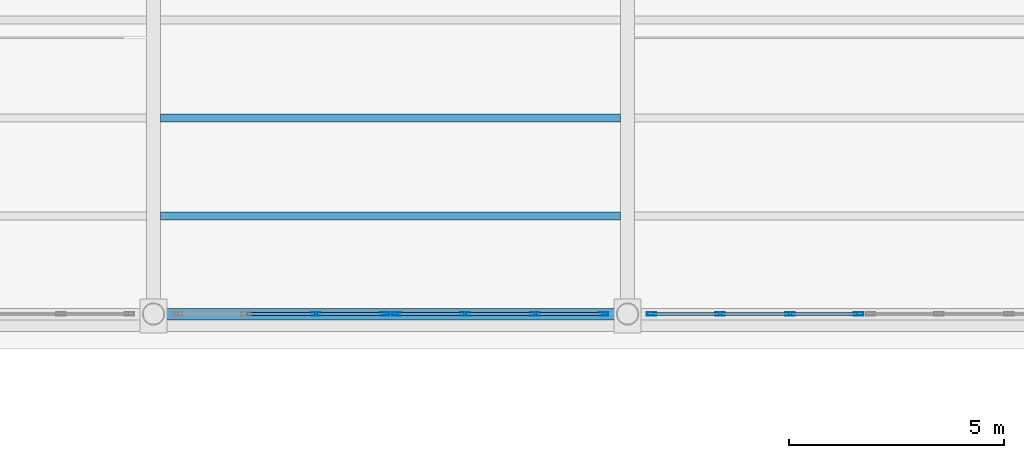
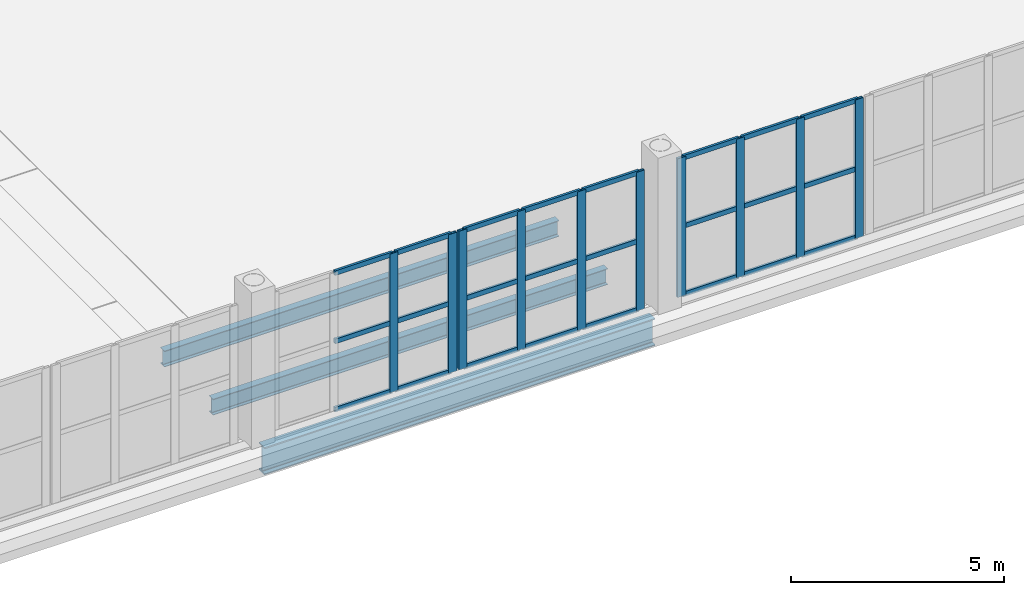
# One storey, part 27 of 156: 34 members, 3 beams, 3 elements without a shape of their own.
"""IFC4 building model written with IfcOpenShell, lengths in metres."""

from ifc_helpers import new_model, si_unit, direction, frame, origin, origin_2d, place, context, subcontext, project, spatial, hollow_rectangle, i_section, extrude, material, material_profile, profile_set, type_object, element, aggregate, save


model = new_model("IFC4")

# Units and contexts
model_context = context("Model", 3, precision=1e-05, world=origin(), true_north=direction((0.0, 1.0)))
body_context = subcontext(model_context, "Body", "Model", "MODEL_VIEW")
ifc_project = project(units=[si_unit("LENGTHUNIT", "METRE"), si_unit("AREAUNIT", "SQUARE_METRE"), si_unit("VOLUMEUNIT", "CUBIC_METRE"), si_unit("PLANEANGLEUNIT", "RADIAN"), si_unit("MASSUNIT", "GRAM", prefix="KILO")], contexts=[model_context])

# Site, building, storey
site_placement = place(None, origin())
site = spatial("IfcSite", under=ifc_project, at=site_placement, CompositionType="ELEMENT")
building_placement = place(site_placement, origin())
building = spatial("IfcBuilding", under=site, at=building_placement, Name="Caurita Quay Ferry Terminal", CompositionType="ELEMENT")
storey_placement = place(building_placement, frame((0.0, 0.0, 5.39990234375)))
storey = spatial("IfcBuildingStorey", under=building, at=storey_placement, Name="L01", CompositionType="ELEMENT", Elevation=5.39990234375)

# Beams
ifc_material_1 = material(Name="Structural steel ASTM A992 Gr. 50", Category="steel")
ifc_material_profile_1 = material_profile(ifc_material_1, i_section(OverallWidth=0.2666015625, OverallDepth=0.77978515625, WebThickness=0.0166015625, FlangeThickness=0.030029296875, FilletRadius=0.01904296875, at=origin_2d()), Name="W30X148")
ifc_profile_set_1 = profile_set([ifc_material_profile_1], Name="Structural steel ASTM A992 Gr. 50")
beam_type_1 = type_object("IfcBeamType", Name="BM-GR-W30A", PredefinedType="BEAM", material=ifc_profile_set_1)
beam_placement = place(storey_placement, frame((44.2158203125, 34.60009765625, -0.689697265625), z_axis=(1.0, 0.0, 0.0), x_axis=(0.0, 1.0, 0.0)))
element("IfcBeam", 1, at=beam_placement, inside=storey, type_object=beam_type_1, Name="L01 Beam BM-V1-L01-X-442-346", PredefinedType="BEAM", context=body_context, shape_type="SweptSolid", body=[
    extrude(i_section(OverallWidth=0.2666015625, OverallDepth=0.77978515625, WebThickness=0.0166015625, FlangeThickness=0.030029296875, FilletRadius=0.01904296875, at=origin_2d()), origin(), (0.0, 0.0, 1.0), 10.568359375),
])
ifc_material_profile_2 = material_profile(ifc_material_1, i_section(OverallWidth=0.1904296875, OverallDepth=0.457275390625, WebThickness=0.009033203125, FlangeThickness=0.014404296875, FilletRadius=0.0126953125, at=origin_2d()), Name="W18X50")
ifc_profile_set_2 = profile_set([ifc_material_profile_2], Name="Structural steel ASTM A992 Gr. 50")
beam_type_2 = type_object("IfcBeamType", Name="BM-JS-W18B", PredefinedType="JOIST", material=ifc_profile_set_2)
for number, where, z_axis, x_axis, name in (
    (2, (44.16259765625, 36.875, -0.528564453125), (1.0, 0.0, 0.0), (0.0, 1.0, 0.0), "L01 Beam JS-V1-L01-040"),
    (3, (44.16259765625, 39.14990234375, -0.528564453125), (1.0, 0.0, 0.0), (0.0, 1.0, 0.0), "L01 Beam JS-V1-L01-041"),
):
    element("IfcBeam", number, at=place(storey_placement, frame(where, z_axis=z_axis, x_axis=x_axis)), inside=storey, type_object=beam_type_2, Name=name, PredefinedType="JOIST", context=body_context, shape_type="SweptSolid", body=[
        extrude(i_section(OverallWidth=0.1904296875, OverallDepth=0.457275390625, WebThickness=0.009033203125, FlangeThickness=0.014404296875, FilletRadius=0.0126953125, at=origin_2d()), origin(), (0.0, 0.0, 1.0), 10.6748046875),
    ])

# Curtain wall, members
ifc_material_2 = material(Name="Laminated solar-control insulated glass", Category="glass")
curtain_wall_type = type_object("IfcCurtainWallType", Name="CW-SYS-08", PredefinedType="NOTDEFINED", material=ifc_material_2)
curtain_wall_1_placement = place(storey_placement, origin())
curtain_wall_1 = element("IfcCurtainWall", 4, at=curtain_wall_1_placement, inside=storey, type_object=curtain_wall_type, Name="V1 Waterside Concourse Curtain Wall 057", PredefinedType="NOTDEFINED")
ifc_material_3 = material(Name="Anodized aluminium 6063-T6", Category="aluminium")
ifc_material_profile_3 = material_profile(ifc_material_3, hollow_rectangle(XDim=0.074951171875, YDim=0.219970703125, WallThickness=0.00390625, at=origin_2d()), Name="ALU-MUL-75X220")
ifc_profile_set_3 = profile_set([ifc_material_profile_3], Name="Anodized aluminium 6063-T6")
member_type_1 = type_object("IfcMemberType", Name="CW-MUL-220", PredefinedType="MULLION", material=ifc_profile_set_3)
member_1_placement = place(storey_placement, frame((47.773193359375, 34.60009765625, 0.0), z_axis=(0.0, 0.0, 1.0), x_axis=(0.0, 1.0, 0.0)))
member_1 = element("IfcMember", 5, at=member_1_placement, type_object=member_type_1, Name="CW-SEA-057 Mullion 3", PredefinedType="MULLION", context=body_context, shape_type="SweptSolid", body=[
    extrude(hollow_rectangle(XDim=0.074951171875, YDim=0.219970703125, WallThickness=0.00390625, at=origin_2d()), origin(), (0.0, 0.0, 1.0), 3.97021484375),
])
member_2_placement = place(storey_placement, frame((49.362548828125, 34.60009765625, 0.0), z_axis=(0.0, 0.0, 1.0), x_axis=(0.0, 1.0, 0.0)))
member_2 = element("IfcMember", 6, at=member_2_placement, type_object=member_type_1, Name="CW-SEA-057 Mullion 4", PredefinedType="MULLION", context=body_context, shape_type="SweptSolid", body=[
    extrude(hollow_rectangle(XDim=0.074951171875, YDim=0.219970703125, WallThickness=0.00390625, at=origin_2d()), origin(), (0.0, 0.0, 1.0), 3.97021484375),
])

curtain_wall_2_placement = place(storey_placement, origin())
curtain_wall_2 = element("IfcCurtainWall", 7, at=curtain_wall_2_placement, inside=storey, type_object=curtain_wall_type, Name="V1 Waterside Concourse Curtain Wall 058", PredefinedType="NOTDEFINED")
member_3_placement = place(storey_placement, frame((49.637451171875, 34.60009765625, 0.0), z_axis=(0.0, 0.0, 1.0), x_axis=(0.0, 1.0, 0.0)))
member_3 = element("IfcMember", 8, at=member_3_placement, type_object=member_type_1, Name="CW-SEA-058 Mullion 1", PredefinedType="MULLION", context=body_context, shape_type="SweptSolid", body=[
    extrude(hollow_rectangle(XDim=0.074951171875, YDim=0.219970703125, WallThickness=0.00390625, at=origin_2d()), origin(), (0.0, 0.0, 1.0), 3.97021484375),
])
member_4_placement = place(storey_placement, frame((51.226806640625, 34.60009765625, 0.0), z_axis=(0.0, 0.0, 1.0), x_axis=(0.0, 1.0, 0.0)))
member_4 = element("IfcMember", 9, at=member_4_placement, type_object=member_type_1, Name="CW-SEA-058 Mullion 2", PredefinedType="MULLION", context=body_context, shape_type="SweptSolid", body=[
    extrude(hollow_rectangle(XDim=0.074951171875, YDim=0.219970703125, WallThickness=0.00390625, at=origin_2d()), origin(), (0.0, 0.0, 1.0), 3.97021484375),
])
member_5_placement = place(storey_placement, frame((52.853271484375, 34.60009765625, 0.0), z_axis=(0.0, 0.0, 1.0), x_axis=(0.0, 1.0, 0.0)))
member_5 = element("IfcMember", 10, at=member_5_placement, type_object=member_type_1, Name="CW-SEA-058 Mullion 3", PredefinedType="MULLION", context=body_context, shape_type="SweptSolid", body=[
    extrude(hollow_rectangle(XDim=0.074951171875, YDim=0.219970703125, WallThickness=0.00390625, at=origin_2d()), origin(), (0.0, 0.0, 1.0), 3.97021484375),
])
member_6_placement = place(storey_placement, frame((54.4423828125, 34.60009765625, 0.0), z_axis=(0.0, 0.0, 1.0), x_axis=(0.0, 1.0, 0.0)))
member_6 = element("IfcMember", 11, at=member_6_placement, type_object=member_type_1, Name="CW-SEA-058 Mullion 4", PredefinedType="MULLION", context=body_context, shape_type="SweptSolid", body=[
    extrude(hollow_rectangle(XDim=0.074951171875, YDim=0.219970703125, WallThickness=0.00390625, at=origin_2d()), origin(), (0.0, 0.0, 1.0), 3.97021484375),
])

curtain_wall_3_placement = place(storey_placement, origin())
curtain_wall_3 = element("IfcCurtainWall", 12, at=curtain_wall_3_placement, inside=storey, type_object=curtain_wall_type, Name="V1 Waterside Concourse Curtain Wall 059", PredefinedType="NOTDEFINED")
member_7_placement = place(storey_placement, frame((55.5576171875, 34.60009765625, 0.0), z_axis=(0.0, 0.0, 1.0), x_axis=(0.0, 1.0, 0.0)))
member_7 = element("IfcMember", 13, at=member_7_placement, type_object=member_type_1, Name="CW-SEA-059 Mullion 1", PredefinedType="MULLION", context=body_context, shape_type="SweptSolid", body=[
    extrude(hollow_rectangle(XDim=0.074951171875, YDim=0.219970703125, WallThickness=0.00390625, at=origin_2d()), origin(), (0.0, 0.0, 1.0), 3.97021484375),
])
member_8_placement = place(storey_placement, frame((57.146728515625, 34.60009765625, 0.0), z_axis=(0.0, 0.0, 1.0), x_axis=(0.0, 1.0, 0.0)))
member_8 = element("IfcMember", 14, at=member_8_placement, type_object=member_type_1, Name="CW-SEA-059 Mullion 2", PredefinedType="MULLION", context=body_context, shape_type="SweptSolid", body=[
    extrude(hollow_rectangle(XDim=0.074951171875, YDim=0.219970703125, WallThickness=0.00390625, at=origin_2d()), origin(), (0.0, 0.0, 1.0), 3.97021484375),
])
member_9_placement = place(storey_placement, frame((58.773193359375, 34.60009765625, 0.0), z_axis=(0.0, 0.0, 1.0), x_axis=(0.0, 1.0, 0.0)))
member_9 = element("IfcMember", 15, at=member_9_placement, type_object=member_type_1, Name="CW-SEA-059 Mullion 3", PredefinedType="MULLION", context=body_context, shape_type="SweptSolid", body=[
    extrude(hollow_rectangle(XDim=0.074951171875, YDim=0.219970703125, WallThickness=0.00390625, at=origin_2d()), origin(), (0.0, 0.0, 1.0), 3.97021484375),
])
member_10_placement = place(storey_placement, frame((60.362548828125, 34.60009765625, 0.0), z_axis=(0.0, 0.0, 1.0), x_axis=(0.0, 1.0, 0.0)))
member_10 = element("IfcMember", 16, at=member_10_placement, type_object=member_type_1, Name="CW-SEA-059 Mullion 4", PredefinedType="MULLION", context=body_context, shape_type="SweptSolid", body=[
    extrude(hollow_rectangle(XDim=0.074951171875, YDim=0.219970703125, WallThickness=0.00390625, at=origin_2d()), origin(), (0.0, 0.0, 1.0), 3.97021484375),
])

# Member
ifc_material_profile_4 = material_profile(ifc_material_3, hollow_rectangle(XDim=0.06494140625, YDim=0.135009765625, WallThickness=0.00341796875, at=origin_2d()), Name="ALU-TRN-65X135")
ifc_profile_set_4 = profile_set([ifc_material_profile_4], Name="Anodized aluminium 6063-T6")
member_type_2 = type_object("IfcMemberType", Name="CW-TRN-135", PredefinedType="USERDEFINED", material=ifc_profile_set_4)
member_11_placement = place(storey_placement, frame((46.18212890625, 34.60009765625, 0.03271484375), z_axis=(1.0, 0.0, 0.0), x_axis=(0.0, 1.0, 0.0)))
member_11 = element("IfcMember", 17, at=member_11_placement, type_object=member_type_2, Name="CW-SEA-057 Transom 4", ObjectType="TRANSOM", PredefinedType="USERDEFINED", context=body_context, shape_type="SweptSolid", body=[
    extrude(hollow_rectangle(XDim=0.06494140625, YDim=0.135009765625, WallThickness=0.00341796875, at=origin_2d()), origin(), (0.0, 0.0, 1.0), 1.5556640625),
])

member_12_placement = place(storey_placement, frame((46.18212890625, 34.60009765625, 1.985107421875), z_axis=(1.0, 0.0, 0.0), x_axis=(0.0, 1.0, 0.0)))
member_12 = element("IfcMember", 18, at=member_12_placement, type_object=member_type_2, Name="CW-SEA-057 Transom 5", ObjectType="TRANSOM", PredefinedType="USERDEFINED", context=body_context, shape_type="SweptSolid", body=[
    extrude(hollow_rectangle(XDim=0.06494140625, YDim=0.135009765625, WallThickness=0.00341796875, at=origin_2d()), origin(), (0.0, 0.0, 1.0), 1.5556640625),
])

member_13_placement = place(storey_placement, frame((46.18212890625, 34.60009765625, 3.9375), z_axis=(1.0, 0.0, 0.0), x_axis=(0.0, 1.0, 0.0)))
member_13 = element("IfcMember", 19, at=member_13_placement, type_object=member_type_2, Name="CW-SEA-057 Transom 6", ObjectType="TRANSOM", PredefinedType="USERDEFINED", context=body_context, shape_type="SweptSolid", body=[
    extrude(hollow_rectangle(XDim=0.06494140625, YDim=0.135009765625, WallThickness=0.00341796875, at=origin_2d()), origin(), (0.0, 0.0, 1.0), 1.5556640625),
])

member_14_placement = place(storey_placement, frame((47.808837890625, 34.60009765625, 0.03271484375), z_axis=(1.0, 0.0, 0.0), x_axis=(0.0, 1.0, 0.0)))
member_14 = element("IfcMember", 20, at=member_14_placement, type_object=member_type_2, Name="CW-SEA-057 Transom 7", ObjectType="TRANSOM", PredefinedType="USERDEFINED", context=body_context, shape_type="SweptSolid", body=[
    extrude(hollow_rectangle(XDim=0.06494140625, YDim=0.135009765625, WallThickness=0.00341796875, at=origin_2d()), origin(), (0.0, 0.0, 1.0), 1.51806640625),
])

member_15_placement = place(storey_placement, frame((47.808837890625, 34.60009765625, 1.985107421875), z_axis=(1.0, 0.0, 0.0), x_axis=(0.0, 1.0, 0.0)))
member_15 = element("IfcMember", 21, at=member_15_placement, type_object=member_type_2, Name="CW-SEA-057 Transom 8", ObjectType="TRANSOM", PredefinedType="USERDEFINED", context=body_context, shape_type="SweptSolid", body=[
    extrude(hollow_rectangle(XDim=0.06494140625, YDim=0.135009765625, WallThickness=0.00341796875, at=origin_2d()), origin(), (0.0, 0.0, 1.0), 1.51806640625),
])

member_16_placement = place(storey_placement, frame((47.808837890625, 34.60009765625, 3.9375), z_axis=(1.0, 0.0, 0.0), x_axis=(0.0, 1.0, 0.0)))
member_16 = element("IfcMember", 22, at=member_16_placement, type_object=member_type_2, Name="CW-SEA-057 Transom 9", ObjectType="TRANSOM", PredefinedType="USERDEFINED", context=body_context, shape_type="SweptSolid", body=[
    extrude(hollow_rectangle(XDim=0.06494140625, YDim=0.135009765625, WallThickness=0.00341796875, at=origin_2d()), origin(), (0.0, 0.0, 1.0), 1.51806640625),
])

aggregate(curtain_wall_1, [member_1, member_2, member_11, member_12, member_13, member_14, member_15, member_16])

member_17_placement = place(storey_placement, frame((49.673095703125, 34.60009765625, 0.03271484375), z_axis=(1.0, 0.0, 0.0), x_axis=(0.0, 1.0, 0.0)))
member_17 = element("IfcMember", 23, at=member_17_placement, type_object=member_type_2, Name="CW-SEA-058 Transom 1", ObjectType="TRANSOM", PredefinedType="USERDEFINED", context=body_context, shape_type="SweptSolid", body=[
    extrude(hollow_rectangle(XDim=0.06494140625, YDim=0.135009765625, WallThickness=0.00341796875, at=origin_2d()), origin(), (0.0, 0.0, 1.0), 1.51806640625),
])

member_18_placement = place(storey_placement, frame((49.673095703125, 34.60009765625, 1.985107421875), z_axis=(1.0, 0.0, 0.0), x_axis=(0.0, 1.0, 0.0)))
member_18 = element("IfcMember", 24, at=member_18_placement, type_object=member_type_2, Name="CW-SEA-058 Transom 2", ObjectType="TRANSOM", PredefinedType="USERDEFINED", context=body_context, shape_type="SweptSolid", body=[
    extrude(hollow_rectangle(XDim=0.06494140625, YDim=0.135009765625, WallThickness=0.00341796875, at=origin_2d()), origin(), (0.0, 0.0, 1.0), 1.51806640625),
])

member_19_placement = place(storey_placement, frame((49.673095703125, 34.60009765625, 3.9375), z_axis=(1.0, 0.0, 0.0), x_axis=(0.0, 1.0, 0.0)))
member_19 = element("IfcMember", 25, at=member_19_placement, type_object=member_type_2, Name="CW-SEA-058 Transom 3", ObjectType="TRANSOM", PredefinedType="USERDEFINED", context=body_context, shape_type="SweptSolid", body=[
    extrude(hollow_rectangle(XDim=0.06494140625, YDim=0.135009765625, WallThickness=0.00341796875, at=origin_2d()), origin(), (0.0, 0.0, 1.0), 1.51806640625),
])

member_20_placement = place(storey_placement, frame((51.26220703125, 34.60009765625, 0.03271484375), z_axis=(1.0, 0.0, 0.0), x_axis=(0.0, 1.0, 0.0)))
member_20 = element("IfcMember", 26, at=member_20_placement, type_object=member_type_2, Name="CW-SEA-058 Transom 4", ObjectType="TRANSOM", PredefinedType="USERDEFINED", context=body_context, shape_type="SweptSolid", body=[
    extrude(hollow_rectangle(XDim=0.06494140625, YDim=0.135009765625, WallThickness=0.00341796875, at=origin_2d()), origin(), (0.0, 0.0, 1.0), 1.5556640625),
])

member_21_placement = place(storey_placement, frame((51.26220703125, 34.60009765625, 1.985107421875), z_axis=(1.0, 0.0, 0.0), x_axis=(0.0, 1.0, 0.0)))
member_21 = element("IfcMember", 27, at=member_21_placement, type_object=member_type_2, Name="CW-SEA-058 Transom 5", ObjectType="TRANSOM", PredefinedType="USERDEFINED", context=body_context, shape_type="SweptSolid", body=[
    extrude(hollow_rectangle(XDim=0.06494140625, YDim=0.135009765625, WallThickness=0.00341796875, at=origin_2d()), origin(), (0.0, 0.0, 1.0), 1.5556640625),
])

member_22_placement = place(storey_placement, frame((51.26220703125, 34.60009765625, 3.9375), z_axis=(1.0, 0.0, 0.0), x_axis=(0.0, 1.0, 0.0)))
member_22 = element("IfcMember", 28, at=member_22_placement, type_object=member_type_2, Name="CW-SEA-058 Transom 6", ObjectType="TRANSOM", PredefinedType="USERDEFINED", context=body_context, shape_type="SweptSolid", body=[
    extrude(hollow_rectangle(XDim=0.06494140625, YDim=0.135009765625, WallThickness=0.00341796875, at=origin_2d()), origin(), (0.0, 0.0, 1.0), 1.5556640625),
])

member_23_placement = place(storey_placement, frame((52.888916015625, 34.60009765625, 0.03271484375), z_axis=(1.0, 0.0, 0.0), x_axis=(0.0, 1.0, 0.0)))
member_23 = element("IfcMember", 29, at=member_23_placement, type_object=member_type_2, Name="CW-SEA-058 Transom 7", ObjectType="TRANSOM", PredefinedType="USERDEFINED", context=body_context, shape_type="SweptSolid", body=[
    extrude(hollow_rectangle(XDim=0.06494140625, YDim=0.135009765625, WallThickness=0.00341796875, at=origin_2d()), origin(), (0.0, 0.0, 1.0), 1.51806640625),
])

member_24_placement = place(storey_placement, frame((52.888916015625, 34.60009765625, 1.985107421875), z_axis=(1.0, 0.0, 0.0), x_axis=(0.0, 1.0, 0.0)))
member_24 = element("IfcMember", 30, at=member_24_placement, type_object=member_type_2, Name="CW-SEA-058 Transom 8", ObjectType="TRANSOM", PredefinedType="USERDEFINED", context=body_context, shape_type="SweptSolid", body=[
    extrude(hollow_rectangle(XDim=0.06494140625, YDim=0.135009765625, WallThickness=0.00341796875, at=origin_2d()), origin(), (0.0, 0.0, 1.0), 1.51806640625),
])

member_25_placement = place(storey_placement, frame((52.888916015625, 34.60009765625, 3.9375), z_axis=(1.0, 0.0, 0.0), x_axis=(0.0, 1.0, 0.0)))
member_25 = element("IfcMember", 31, at=member_25_placement, type_object=member_type_2, Name="CW-SEA-058 Transom 9", ObjectType="TRANSOM", PredefinedType="USERDEFINED", context=body_context, shape_type="SweptSolid", body=[
    extrude(hollow_rectangle(XDim=0.06494140625, YDim=0.135009765625, WallThickness=0.00341796875, at=origin_2d()), origin(), (0.0, 0.0, 1.0), 1.51806640625),
])

aggregate(curtain_wall_2, [member_3, member_4, member_5, member_6, member_17, member_18, member_19, member_20, member_21, member_22, member_23, member_24, member_25])

member_26_placement = place(storey_placement, frame((55.593017578125, 34.60009765625, 0.03271484375), z_axis=(1.0, 0.0, 0.0), x_axis=(0.0, 1.0, 0.0)))
member_26 = element("IfcMember", 32, at=member_26_placement, type_object=member_type_2, Name="CW-SEA-059 Transom 1", ObjectType="TRANSOM", PredefinedType="USERDEFINED", context=body_context, shape_type="SweptSolid", body=[
    extrude(hollow_rectangle(XDim=0.06494140625, YDim=0.135009765625, WallThickness=0.00341796875, at=origin_2d()), origin(), (0.0, 0.0, 1.0), 1.51806640625),
])

member_27_placement = place(storey_placement, frame((55.593017578125, 34.60009765625, 1.985107421875), z_axis=(1.0, 0.0, 0.0), x_axis=(0.0, 1.0, 0.0)))
member_27 = element("IfcMember", 33, at=member_27_placement, type_object=member_type_2, Name="CW-SEA-059 Transom 2", ObjectType="TRANSOM", PredefinedType="USERDEFINED", context=body_context, shape_type="SweptSolid", body=[
    extrude(hollow_rectangle(XDim=0.06494140625, YDim=0.135009765625, WallThickness=0.00341796875, at=origin_2d()), origin(), (0.0, 0.0, 1.0), 1.51806640625),
])

member_28_placement = place(storey_placement, frame((55.593017578125, 34.60009765625, 3.9375), z_axis=(1.0, 0.0, 0.0), x_axis=(0.0, 1.0, 0.0)))
member_28 = element("IfcMember", 34, at=member_28_placement, type_object=member_type_2, Name="CW-SEA-059 Transom 3", ObjectType="TRANSOM", PredefinedType="USERDEFINED", context=body_context, shape_type="SweptSolid", body=[
    extrude(hollow_rectangle(XDim=0.06494140625, YDim=0.135009765625, WallThickness=0.00341796875, at=origin_2d()), origin(), (0.0, 0.0, 1.0), 1.51806640625),
])

member_29_placement = place(storey_placement, frame((57.18212890625, 34.60009765625, 0.03271484375), z_axis=(1.0, 0.0, 0.0), x_axis=(0.0, 1.0, 0.0)))
member_29 = element("IfcMember", 35, at=member_29_placement, type_object=member_type_2, Name="CW-SEA-059 Transom 4", ObjectType="TRANSOM", PredefinedType="USERDEFINED", context=body_context, shape_type="SweptSolid", body=[
    extrude(hollow_rectangle(XDim=0.06494140625, YDim=0.135009765625, WallThickness=0.00341796875, at=origin_2d()), origin(), (0.0, 0.0, 1.0), 1.5556640625),
])

member_30_placement = place(storey_placement, frame((57.18212890625, 34.60009765625, 1.985107421875), z_axis=(1.0, 0.0, 0.0), x_axis=(0.0, 1.0, 0.0)))
member_30 = element("IfcMember", 36, at=member_30_placement, type_object=member_type_2, Name="CW-SEA-059 Transom 5", ObjectType="TRANSOM", PredefinedType="USERDEFINED", context=body_context, shape_type="SweptSolid", body=[
    extrude(hollow_rectangle(XDim=0.06494140625, YDim=0.135009765625, WallThickness=0.00341796875, at=origin_2d()), origin(), (0.0, 0.0, 1.0), 1.5556640625),
])

member_31_placement = place(storey_placement, frame((57.18212890625, 34.60009765625, 3.9375), z_axis=(1.0, 0.0, 0.0), x_axis=(0.0, 1.0, 0.0)))
member_31 = element("IfcMember", 37, at=member_31_placement, type_object=member_type_2, Name="CW-SEA-059 Transom 6", ObjectType="TRANSOM", PredefinedType="USERDEFINED", context=body_context, shape_type="SweptSolid", body=[
    extrude(hollow_rectangle(XDim=0.06494140625, YDim=0.135009765625, WallThickness=0.00341796875, at=origin_2d()), origin(), (0.0, 0.0, 1.0), 1.5556640625),
])

member_32_placement = place(storey_placement, frame((58.808837890625, 34.60009765625, 0.03271484375), z_axis=(1.0, 0.0, 0.0), x_axis=(0.0, 1.0, 0.0)))
member_32 = element("IfcMember", 38, at=member_32_placement, type_object=member_type_2, Name="CW-SEA-059 Transom 7", ObjectType="TRANSOM", PredefinedType="USERDEFINED", context=body_context, shape_type="SweptSolid", body=[
    extrude(hollow_rectangle(XDim=0.06494140625, YDim=0.135009765625, WallThickness=0.00341796875, at=origin_2d()), origin(), (0.0, 0.0, 1.0), 1.51806640625),
])

member_33_placement = place(storey_placement, frame((58.808837890625, 34.60009765625, 1.985107421875), z_axis=(1.0, 0.0, 0.0), x_axis=(0.0, 1.0, 0.0)))
member_33 = element("IfcMember", 39, at=member_33_placement, type_object=member_type_2, Name="CW-SEA-059 Transom 8", ObjectType="TRANSOM", PredefinedType="USERDEFINED", context=body_context, shape_type="SweptSolid", body=[
    extrude(hollow_rectangle(XDim=0.06494140625, YDim=0.135009765625, WallThickness=0.00341796875, at=origin_2d()), origin(), (0.0, 0.0, 1.0), 1.51806640625),
])

member_34_placement = place(storey_placement, frame((58.808837890625, 34.60009765625, 3.9375), z_axis=(1.0, 0.0, 0.0), x_axis=(0.0, 1.0, 0.0)))
member_34 = element("IfcMember", 40, at=member_34_placement, type_object=member_type_2, Name="CW-SEA-059 Transom 9", ObjectType="TRANSOM", PredefinedType="USERDEFINED", context=body_context, shape_type="SweptSolid", body=[
    extrude(hollow_rectangle(XDim=0.06494140625, YDim=0.135009765625, WallThickness=0.00341796875, at=origin_2d()), origin(), (0.0, 0.0, 1.0), 1.51806640625),
])

aggregate(curtain_wall_3, [member_7, member_8, member_9, member_10, member_26, member_27, member_28, member_29, member_30, member_31, member_32, member_33, member_34])

save(model, "model.ifc")
